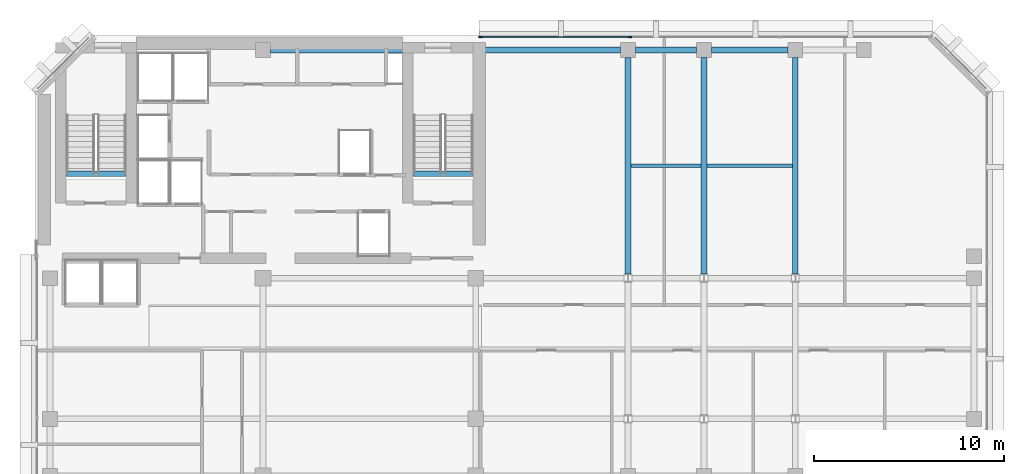
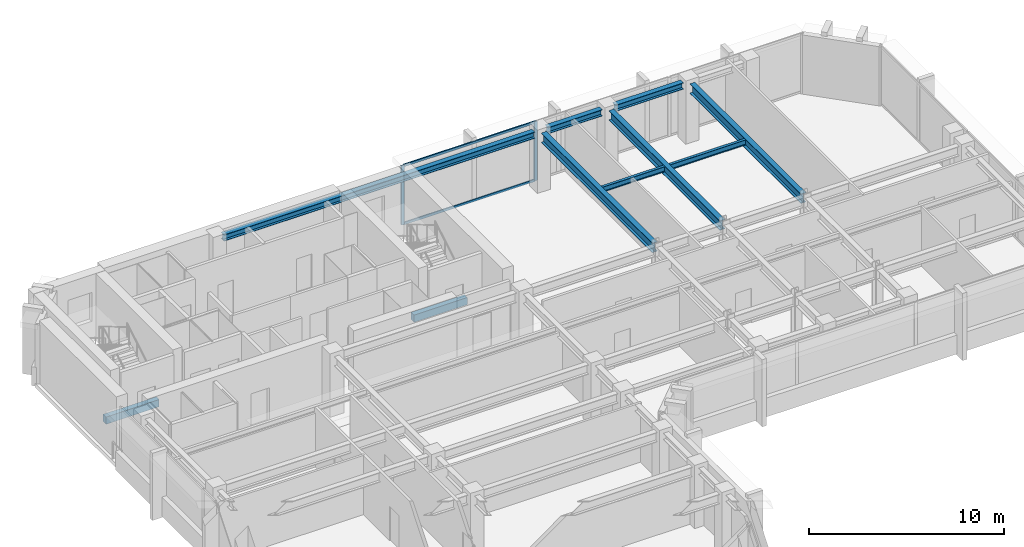
# One storey, part 4 of 12: 10 beams, 4 members, 1 element without a shape of its own.
"""IFC4 building model written with IfcOpenShell, lengths in metres."""

from ifc_helpers import new_model, si_unit, direction, frame, origin, origin_2d, place, context, subcontext, project, spatial, rectangle, i_section, extrude, material, layer, layer_set, material_profile, profile_set, type_object, element, aggregate, save


model = new_model("IFC4")

# Units and contexts
model_context = context("Model", 3, precision=1e-05, world=origin(), true_north=direction((0.0, 1.0)))
body_context = subcontext(model_context, "Body", "Model", "MODEL_VIEW")
ifc_project = project(units=[si_unit("LENGTHUNIT", "METRE"), si_unit("AREAUNIT", "SQUARE_METRE"), si_unit("VOLUMEUNIT", "CUBIC_METRE"), si_unit("PLANEANGLEUNIT", "RADIAN"), si_unit("MASSUNIT", "GRAM", prefix="KILO")], contexts=[model_context])

# Site, building, storey
site_placement = place(None, origin())
site = spatial("IfcSite", under=ifc_project, at=site_placement, CompositionType="ELEMENT")
building_placement = place(site_placement, origin())
building = spatial("IfcBuilding", under=site, at=building_placement, Name="Kefirva Bronze Tower", CompositionType="ELEMENT")
storey_placement = place(building_placement, frame((0.0, 0.0, 260.3701171875)))
storey = spatial("IfcBuildingStorey", under=building, at=storey_placement, Name="L63", CompositionType="ELEMENT", Elevation=260.3701171875)

# Curtain wall, members
ifc_material_1 = material(Name="Bronze anodised aluminium", Category="aluminium")
ifc_layer = layer(ifc_material_1, 0.179931640625, Name="Bronze anodised aluminium")
ifc_layer_set = layer_set([ifc_layer], Name="Bronze anodised aluminium")
curtain_wall_type = type_object("IfcCurtainWallType", Name="Unitised Bronze Ribbon Curtain Wall Zone 3", PredefinedType="USERDEFINED", material=ifc_layer_set)
curtain_wall_placement = place(storey_placement, origin())
curtain_wall = element("IfcCurtainWall", 1, at=curtain_wall_placement, inside=storey, type_object=curtain_wall_type, Name="L63 Curtain Wall 4", ObjectType="UNITISED CURTAIN WALL", PredefinedType="USERDEFINED")
ifc_material_profile_1 = material_profile(ifc_material_1, rectangle(XDim=0.074951171875, YDim=0.179931640625, at=origin_2d()), Name="ALU 75x180")
ifc_profile_set_1 = profile_set([ifc_material_profile_1], Name="Bronze anodised aluminium")
member_type_1 = type_object("IfcMemberType", Name="Bronze Mullion 75x180", PredefinedType="MULLION", material=ifc_profile_set_1)
member_1_placement = place(storey_placement, frame((31.318359375, 45.8798828125, 0.0), z_axis=(0.0, 0.0, 1.0), x_axis=(0.0, -1.0, 0.0)))
member_1 = element("IfcMember", 2, at=member_1_placement, type_object=member_type_1, Name="CW-03 mullion 3", PredefinedType="MULLION", context=body_context, shape_type="SweptSolid", body=[
    extrude(rectangle(XDim=0.074951171875, YDim=0.179931640625, at=origin_2d()), origin(), (0.0, 0.0, 1.0), 3.7099609375),
])
member_2_placement = place(storey_placement, frame((23.4423828125, 45.8798828125, 0.0), z_axis=(0.0, 0.0, 1.0), x_axis=(0.0, -1.0, 0.0)))
member_2 = element("IfcMember", 3, at=member_2_placement, type_object=member_type_1, Name="CW-03 mullion 4", PredefinedType="MULLION", context=body_context, shape_type="SweptSolid", body=[
    extrude(rectangle(XDim=0.074951171875, YDim=0.179931640625, at=origin_2d()), origin(), (0.0, 0.0, 1.0), 3.7099609375),
])
ifc_material_profile_2 = material_profile(ifc_material_1, rectangle(XDim=0.074951171875, YDim=0.14990234375, at=origin_2d()), Name="ALU 75x150")
ifc_profile_set_2 = profile_set([ifc_material_profile_2], Name="Bronze anodised aluminium")
member_type_2 = type_object("IfcMemberType", Name="Bronze Transom 75x150", PredefinedType="USERDEFINED", material=ifc_profile_set_2)
member_3_placement = place(storey_placement, frame((31.28076171875, 45.8798828125, 0.037353515625), z_axis=(-1.0, 0.0, 0.0), x_axis=(0.0, -1.0, 0.0)))
member_3 = element("IfcMember", 4, at=member_3_placement, type_object=member_type_2, Name="CW-03 transom 3.1", ObjectType="TRANSOM", PredefinedType="USERDEFINED", context=body_context, shape_type="SweptSolid", body=[
    extrude(rectangle(XDim=0.074951171875, YDim=0.14990234375, at=origin_2d()), origin(), (0.0, 0.0, 1.0), 7.80078125),
])
member_4_placement = place(storey_placement, frame((31.28076171875, 45.8798828125, 3.67236328125), z_axis=(-1.0, 0.0, 0.0), x_axis=(0.0, -1.0, 0.0)))
member_4 = element("IfcMember", 5, at=member_4_placement, type_object=member_type_2, Name="CW-03 transom 3.2", ObjectType="TRANSOM", PredefinedType="USERDEFINED", context=body_context, shape_type="SweptSolid", body=[
    extrude(rectangle(XDim=0.074951171875, YDim=0.14990234375, at=origin_2d()), origin(), (0.0, 0.0, 1.0), 7.80078125),
])
aggregate(curtain_wall, [member_1, member_2, member_3, member_4])

# Beams
ifc_material_2 = material(Name="Concrete C50/60", Category="concrete")
ifc_material_profile_3 = material_profile(ifc_material_2, rectangle(XDim=0.300048828125, YDim=0.449951171875, at=origin_2d()), Name="RC 300x450")
ifc_profile_set_3 = profile_set([ifc_material_profile_3], Name="Concrete C50/60")
beam_type_1 = type_object("IfcBeamType", Name="RC Stair Trimmer Beam 300x450", PredefinedType="BEAM", material=ifc_profile_set_3)
beam_1_placement = place(storey_placement, frame((1.64501953125, 38.699951171875, -0.22509765625), z_axis=(1.0, 0.0, 0.0), x_axis=(0.0, 1.0, 0.0)))
element("IfcBeam", 6, at=beam_1_placement, inside=storey, type_object=beam_type_1, Name="L63 Stair 1 Landing Trimmer Beam", PredefinedType="BEAM", context=body_context, shape_type="SweptSolid", body=[
    extrude(rectangle(XDim=0.300048828125, YDim=0.449951171875, at=origin_2d()), origin(), (0.0, 0.0, 1.0), 3.14990234375),
])
beam_2_placement = place(storey_placement, frame((19.89501953125, 38.699951171875, -0.22509765625), z_axis=(1.0, 0.0, 0.0), x_axis=(0.0, 1.0, 0.0)))
element("IfcBeam", 7, at=beam_2_placement, inside=storey, type_object=beam_type_1, Name="L63 Stair 2 Landing Trimmer Beam", PredefinedType="BEAM", context=body_context, shape_type="SweptSolid", body=[
    extrude(rectangle(XDim=0.300048828125, YDim=0.449951171875, at=origin_2d()), origin(), (0.0, 0.0, 1.0), 3.159912109375),
])
ifc_material_3 = material(Name="Steel S355", Category="steel")
ifc_material_profile_4 = material_profile(ifc_material_3, i_section(OverallWidth=0.159912109375, OverallDepth=0.330078125, WebThickness=0.007568359375, FlangeThickness=0.011474609375, at=origin_2d()), Name="IPE 330")
ifc_profile_set_4 = profile_set([ifc_material_profile_4], Name="Steel S355")
beam_type_2 = type_object("IfcBeamType", Name="Steel Floor Joist IPE 330", PredefinedType="JOIST", material=ifc_profile_set_4)
beam_3_placement = place(storey_placement, frame((31.35009765625, 39.11376953125, 3.544921875), z_axis=(1.0, 0.0, 0.0), x_axis=(0.0, 1.0, 0.0)))
element("IfcBeam", 8, at=beam_3_placement, inside=storey, type_object=beam_type_2, Name="L63 JST-L63-31-391", PredefinedType="JOIST", context=body_context, shape_type="SweptSolid", body=[
    extrude(i_section(OverallWidth=0.159912109375, OverallDepth=0.330078125, WebThickness=0.007568359375, FlangeThickness=0.011474609375, at=origin_2d()), origin(), (0.0, 0.0, 1.0), 3.699951171875),
])
beam_4_placement = place(storey_placement, frame((35.35009765625, 39.11376953125, 3.544921875), z_axis=(1.0, 0.0, 0.0), x_axis=(0.0, 1.0, 0.0)))
element("IfcBeam", 9, at=beam_4_placement, inside=storey, type_object=beam_type_2, Name="L63 JST-L63-35-391", PredefinedType="JOIST", context=body_context, shape_type="SweptSolid", body=[
    extrude(i_section(OverallWidth=0.159912109375, OverallDepth=0.330078125, WebThickness=0.007568359375, FlangeThickness=0.011474609375, at=origin_2d()), origin(), (0.0, 0.0, 1.0), 4.5),
])
ifc_material_profile_5 = material_profile(ifc_material_3, i_section(OverallWidth=0.300048828125, OverallDepth=0.60009765625, WebThickness=0.015380859375, FlangeThickness=0.030029296875, at=origin_2d()), Name="HEB 600")
ifc_profile_set_5 = profile_set([ifc_material_profile_5], Name="Steel S355")
beam_type_3 = type_object("IfcBeamType", Name="Steel Girder HEB 600", PredefinedType="USERDEFINED", material=ifc_profile_set_5)
for number, where, z_axis, x_axis, name in (
    (10, (31.199951171875, 33.41748046875, 3.409912109375), (0.0, 1.0, 0.0), (-1.0, 0.0, 0.0), "L63 BM-L63-NS-312-33"),
    (11, (35.199951171875, 33.41748046875, 3.409912109375), (0.0, 1.0, 0.0), (-1.0, 0.0, 0.0), "L63 BM-L63-NS-352-33"),
    (12, (40.0, 33.41748046875, 3.409912109375), (0.0, 1.0, 0.0), (-1.0, 0.0, 0.0), "L63 BM-L63-NS-400-33"),
):
    element("IfcBeam", number, at=place(storey_placement, frame(where, z_axis=z_axis, x_axis=x_axis)), inside=storey, type_object=beam_type_3, Name=name, ObjectType="GIRDER", PredefinedType="USERDEFINED", context=body_context, shape_type="SweptSolid", body=[
        extrude(i_section(OverallWidth=0.300048828125, OverallDepth=0.60009765625, WebThickness=0.015380859375, FlangeThickness=0.030029296875, at=origin_2d()), origin(), (0.0, 0.0, 1.0), 11.392578125),
    ])
ifc_material_profile_6 = material_profile(ifc_material_3, i_section(OverallWidth=0.300048828125, OverallDepth=0.39990234375, WebThickness=0.013427734375, FlangeThickness=0.02392578125, at=origin_2d()), Name="HEB 400")
ifc_profile_set_6 = profile_set([ifc_material_profile_6], Name="Steel S355")
beam_type_4 = type_object("IfcBeamType", Name="Steel Spandrel HEB 400 Ext", PredefinedType="SPANDREL", material=ifc_profile_set_6)
beam_5_placement = place(storey_placement, frame((12.389892578125, 45.199951171875, 3.509765625), z_axis=(1.0, 0.0, 0.0), x_axis=(0.0, 1.0, 0.0)))
element("IfcBeam", 13, at=beam_5_placement, inside=storey, type_object=beam_type_4, Name="L63 BM-L63-EW-12-452", PredefinedType="SPANDREL", context=body_context, shape_type="SweptSolid", body=[
    extrude(i_section(OverallWidth=0.300048828125, OverallDepth=0.39990234375, WebThickness=0.013427734375, FlangeThickness=0.02392578125, at=origin_2d()), origin(), (0.0, 0.0, 1.0), 18.420166015625),
])
beam_6_placement = place(storey_placement, frame((31.590087890625, 45.199951171875, 3.509765625), z_axis=(1.0, 0.0, 0.0), x_axis=(0.0, 1.0, 0.0)))
element("IfcBeam", 14, at=beam_6_placement, inside=storey, type_object=beam_type_4, Name="L63 BM-L63-EW-31-452", PredefinedType="SPANDREL", context=body_context, shape_type="SweptSolid", body=[
    extrude(i_section(OverallWidth=0.300048828125, OverallDepth=0.39990234375, WebThickness=0.013427734375, FlangeThickness=0.02392578125, at=origin_2d()), origin(), (0.0, 0.0, 1.0), 3.219970703125),
])
beam_7_placement = place(storey_placement, frame((35.590087890625, 45.199951171875, 3.509765625), z_axis=(1.0, 0.0, 0.0), x_axis=(0.0, 1.0, 0.0)))
element("IfcBeam", 15, at=beam_7_placement, inside=storey, type_object=beam_type_4, Name="L63 BM-L63-EW-35-452", PredefinedType="SPANDREL", context=body_context, shape_type="SweptSolid", body=[
    extrude(i_section(OverallWidth=0.300048828125, OverallDepth=0.39990234375, WebThickness=0.013427734375, FlangeThickness=0.02392578125, at=origin_2d()), origin(), (0.0, 0.0, 1.0), 4.02001953125),
])

save(model, "model.ifc")
